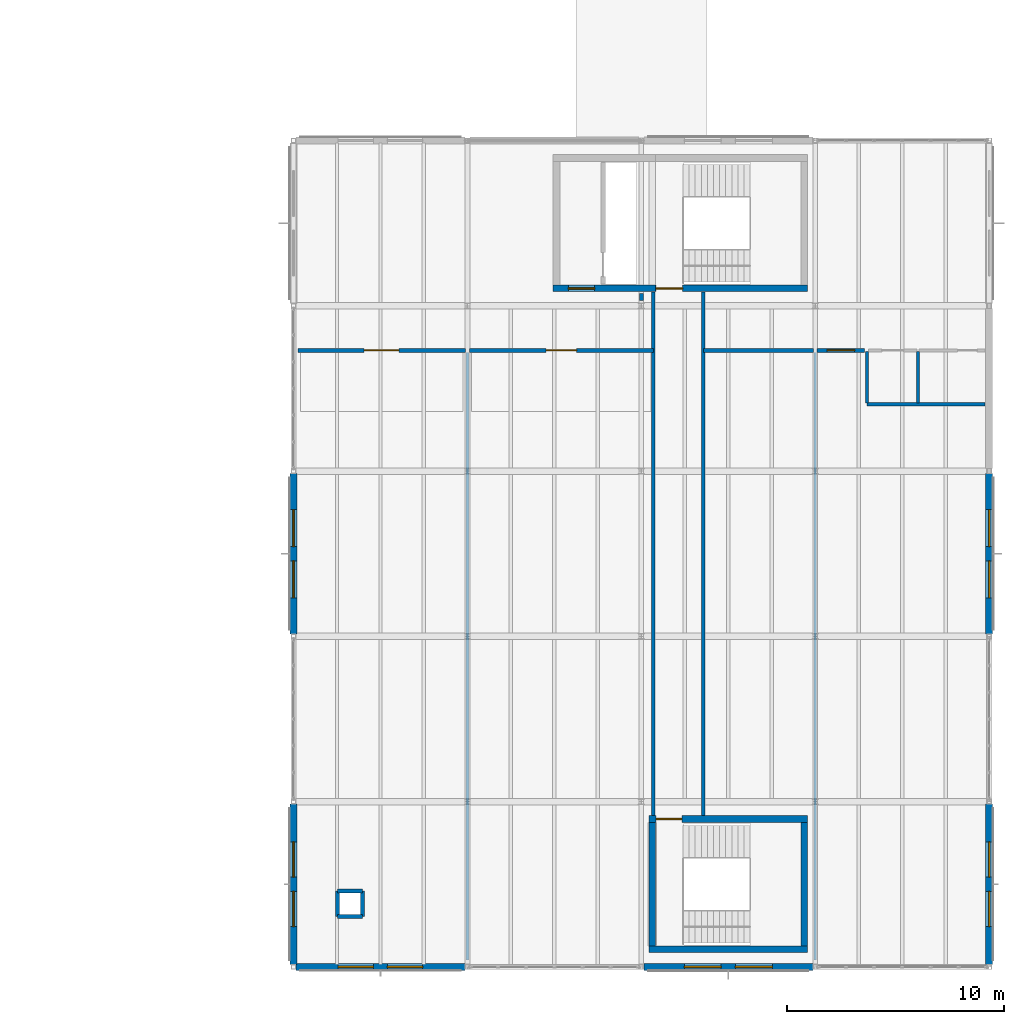
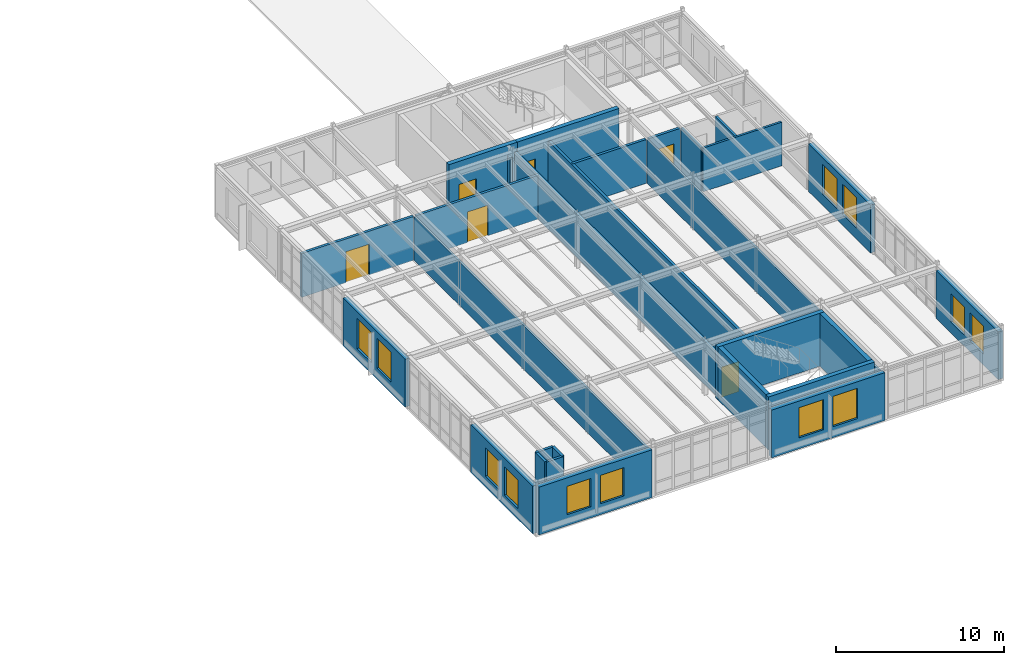
# One storey, part 94 of 114: 28 walls, 12 windows, 6 doors, 18 openings.
"""IFC4 building model written with IfcOpenShell, lengths in metres."""

from ifc_helpers import new_model, si_unit, direction, frame, frame_2d, origin, place, context, subcontext, project, spatial, rectangle, extrude, material, layer, layer_set, type_object, element, fill, save


model = new_model("IFC4")

# Units and contexts
model_context = context("Model", 3, precision=1e-05, world=origin(), true_north=direction((0.0, 1.0)))
body_context = subcontext(model_context, "Body", "Model", "MODEL_VIEW")
ifc_project = project(units=[si_unit("LENGTHUNIT", "METRE"), si_unit("AREAUNIT", "SQUARE_METRE"), si_unit("VOLUMEUNIT", "CUBIC_METRE"), si_unit("PLANEANGLEUNIT", "RADIAN"), si_unit("MASSUNIT", "GRAM", prefix="KILO")], contexts=[model_context])

# Site, building, storey
site_placement = place(None, origin())
site = spatial("IfcSite", under=ifc_project, at=site_placement, CompositionType="ELEMENT")
building_placement = place(site_placement, origin())
building = spatial("IfcBuilding", under=site, at=building_placement, Name="Montecoro Central Library", CompositionType="ELEMENT")
storey_placement = place(building_placement, frame((0.0, 0.0, 13.260009765625)))
storey = spatial("IfcBuildingStorey", under=building, at=storey_placement, Name="L03", CompositionType="ELEMENT", Elevation=13.260009765625)

# Wall, openings, windows
ifc_material_1 = material(Name="Roman travertine stone clad concrete C35/45", Category="masonry")
ifc_layer_1 = layer(ifc_material_1, 0.324951171875)
ifc_layer_set_1 = layer_set([ifc_layer_1], Name="Roman travertine stone clad concrete C35/45")
wall_type_1 = type_object("IfcWallType", Name="EW-TRV-325", PredefinedType="SOLIDWALL", material=ifc_layer_set_1)
wall_1_placement = place(storey_placement, frame((141.113037109375, 5.0, 0.0), z_axis=(0.0, 0.0, 1.0), x_axis=(1.0, 0.0, 0.0)))
wall_1 = element("IfcWall", 1, at=wall_1_placement, inside=storey, type_object=wall_type_1, Name="V6-L03-EW-S0", PredefinedType="SOLIDWALL", context=body_context, shape_type="SweptSolid", body=[
    extrude(rectangle(XDim=7.77392578125, YDim=0.324951171875, at=frame_2d((3.886962890625, 0.0))), origin(), (0.0, 0.0, 1.0), 3.47998046875),
])
opening_1_placement = place(wall_1_placement, frame((1.94189453125, 0.0, 0.800048828125)))
opening_1 = element("IfcOpeningElement", 2, at=opening_1_placement, cuts=wall_1, Name="Opening WN-27", PredefinedType="OPENING", context=body_context, shape_type="SweptSolid", body=[
    extrude(rectangle(XDim=1.6201171875, YDim=2.06005859375, at=frame_2d((0.81005859375, 1.030029296875))), frame((0.0, 0.17236328125, 0.0), z_axis=(0.0, -1.0, 0.0), x_axis=(1.0, 0.0, 0.0)), (0.0, 0.0, 1.0), 0.344970703125),
])
opening_2_placement = place(wall_1_placement, frame((4.2119140625, 0.0, 0.800048828125)))
opening_2 = element("IfcOpeningElement", 3, at=opening_2_placement, cuts=wall_1, Name="Opening WN-27", PredefinedType="OPENING", context=body_context, shape_type="SweptSolid", body=[
    extrude(rectangle(XDim=1.6201171875, YDim=2.06005859375, at=frame_2d((0.81005859375, 1.030029296875))), frame((0.0, 0.17236328125, 0.0), z_axis=(0.0, -1.0, 0.0), x_axis=(1.0, 0.0, 0.0)), (0.0, 0.0, 1.0), 0.344970703125),
])
ifc_material_2 = material(Name="Laminated low-E double glazing", Category="glass")
window_type_1 = type_object("IfcWindowType", Name="WN-COM-162", PartitioningType="SINGLE_PANEL", PredefinedType="WINDOW", material=ifc_material_2)
window_1_placement = place(opening_1_placement, origin())
window_1 = element("IfcWindow", 4, at=window_1_placement, inside=storey, type_object=window_type_1, Name="V6-L03-WN-S0-1", OverallHeight=2.06005859375, OverallWidth=1.6201171875, PartitioningType="SINGLE_PANEL", PredefinedType="WINDOW", context=body_context, shape_type="SweptSolid", body=[
    extrude(rectangle(XDim=1.6201171875, YDim=2.06005859375, at=frame_2d((0.81005859375, 1.030029296875))), frame((0.0, 0.030029296875, 0.0), z_axis=(0.0, -1.0, 0.0), x_axis=(1.0, 0.0, 0.0)), (0.0, 0.0, 1.0), 0.06005859375),
])
fill(opening_1, window_1)
window_2_placement = place(opening_2_placement, origin())
window_2 = element("IfcWindow", 5, at=window_2_placement, inside=storey, type_object=window_type_1, Name="V6-L03-WN-S0-2", OverallHeight=2.06005859375, OverallWidth=1.6201171875, PartitioningType="SINGLE_PANEL", PredefinedType="WINDOW", context=body_context, shape_type="SweptSolid", body=[
    extrude(rectangle(XDim=1.6201171875, YDim=2.06005859375, at=frame_2d((0.81005859375, 1.030029296875))), frame((0.0, 0.030029296875, 0.0), z_axis=(0.0, -1.0, 0.0), x_axis=(1.0, 0.0, 0.0)), (0.0, 0.0, 1.0), 0.06005859375),
])
fill(opening_2, window_2)

wall_2_placement = place(storey_placement, frame((157.113037109375, 5.0, 0.0), z_axis=(0.0, 0.0, 1.0), x_axis=(1.0, 0.0, 0.0)))
wall_2 = element("IfcWall", 6, at=wall_2_placement, inside=storey, type_object=wall_type_1, Name="V6-L03-EW-S2", PredefinedType="SOLIDWALL", context=body_context, shape_type="SweptSolid", body=[
    extrude(rectangle(XDim=7.77392578125, YDim=0.324951171875, at=frame_2d((3.886962890625, 0.0))), origin(), (0.0, 0.0, 1.0), 3.47998046875),
])
opening_3_placement = place(wall_2_placement, frame((1.862060546875, 0.0, 0.800048828125)))
opening_3 = element("IfcOpeningElement", 7, at=opening_3_placement, cuts=wall_2, Name="Opening WN-17", PredefinedType="OPENING", context=body_context, shape_type="SweptSolid", body=[
    extrude(rectangle(XDim=1.699951171875, YDim=2.199951171875, at=frame_2d((0.85009765625, 1.10009765625))), frame((0.0, 0.17236328125, 0.0), z_axis=(0.0, -1.0, 0.0), x_axis=(1.0, 0.0, 0.0)), (0.0, 0.0, 1.0), 0.344970703125),
])
opening_4_placement = place(wall_2_placement, frame((4.2119140625, 0.0, 0.800048828125)))
opening_4 = element("IfcOpeningElement", 8, at=opening_4_placement, cuts=wall_2, Name="Opening WN-17", PredefinedType="OPENING", context=body_context, shape_type="SweptSolid", body=[
    extrude(rectangle(XDim=1.699951171875, YDim=2.199951171875, at=frame_2d((0.85009765625, 1.10009765625))), frame((0.0, 0.17236328125, 0.0), z_axis=(0.0, -1.0, 0.0), x_axis=(1.0, 0.0, 0.0)), (0.0, 0.0, 1.0), 0.344970703125),
])
window_type_2 = type_object("IfcWindowType", Name="WN-COM-170", PartitioningType="SINGLE_PANEL", PredefinedType="WINDOW", material=ifc_material_2)
window_3_placement = place(opening_3_placement, origin())
window_3 = element("IfcWindow", 9, at=window_3_placement, inside=storey, type_object=window_type_2, Name="V6-L03-WN-S2-1", OverallHeight=2.199951171875, OverallWidth=1.699951171875, PartitioningType="SINGLE_PANEL", PredefinedType="WINDOW", context=body_context, shape_type="SweptSolid", body=[
    extrude(rectangle(XDim=1.699951171875, YDim=2.199951171875, at=frame_2d((0.85009765625, 1.10009765625))), frame((0.0, 0.030029296875, 0.0), z_axis=(0.0, -1.0, 0.0), x_axis=(1.0, 0.0, 0.0)), (0.0, 0.0, 1.0), 0.06005859375),
])
fill(opening_3, window_3)
window_4_placement = place(opening_4_placement, origin())
window_4 = element("IfcWindow", 10, at=window_4_placement, inside=storey, type_object=window_type_2, Name="V6-L03-WN-S2-2", OverallHeight=2.199951171875, OverallWidth=1.699951171875, PartitioningType="SINGLE_PANEL", PredefinedType="WINDOW", context=body_context, shape_type="SweptSolid", body=[
    extrude(rectangle(XDim=1.699951171875, YDim=2.199951171875, at=frame_2d((0.85009765625, 1.10009765625))), frame((0.0, 0.030029296875, 0.0), z_axis=(0.0, -1.0, 0.0), x_axis=(1.0, 0.0, 0.0)), (0.0, 0.0, 1.0), 0.06005859375),
])
fill(opening_4, window_4)

wall_3_placement = place(storey_placement, frame((173.0, 5.113037109375, 0.0), z_axis=(0.0, 0.0, 1.0), x_axis=(0.0, 1.0, 0.0)))
wall_3 = element("IfcWall", 11, at=wall_3_placement, inside=storey, type_object=wall_type_1, Name="V6-L03-EW-E0", PredefinedType="SOLIDWALL", context=body_context, shape_type="SweptSolid", body=[
    extrude(rectangle(XDim=7.3740234375, YDim=0.324951171875, at=frame_2d((3.68701171875, 0.0))), origin(), (0.0, 0.0, 1.0), 3.47998046875),
])
opening_5_placement = place(wall_3_placement, frame((1.741943359375, 0.0, 0.800048828125)))
opening_5 = element("IfcOpeningElement", 12, at=opening_5_placement, cuts=wall_3, Name="Opening WN-27", PredefinedType="OPENING", context=body_context, shape_type="SweptSolid", body=[
    extrude(rectangle(XDim=1.6201171875, YDim=2.06005859375, at=frame_2d((0.81005859375, 1.030029296875))), frame((0.0, 0.17236328125, 0.0), z_axis=(0.0, -1.0, 0.0), x_axis=(1.0, 0.0, 0.0)), (0.0, 0.0, 1.0), 0.344970703125),
])
opening_6_placement = place(wall_3_placement, frame((4.011962890625, 0.0, 0.800048828125)))
opening_6 = element("IfcOpeningElement", 13, at=opening_6_placement, cuts=wall_3, Name="Opening WN-27", PredefinedType="OPENING", context=body_context, shape_type="SweptSolid", body=[
    extrude(rectangle(XDim=1.6201171875, YDim=2.06005859375, at=frame_2d((0.81005859375, 1.030029296875))), frame((0.0, 0.17236328125, 0.0), z_axis=(0.0, -1.0, 0.0), x_axis=(1.0, 0.0, 0.0)), (0.0, 0.0, 1.0), 0.344970703125),
])
window_5_placement = place(opening_5_placement, origin())
window_5 = element("IfcWindow", 14, at=window_5_placement, inside=storey, type_object=window_type_1, Name="V6-L03-WN-E0-1", OverallHeight=2.06005859375, OverallWidth=1.6201171875, PartitioningType="SINGLE_PANEL", PredefinedType="WINDOW", context=body_context, shape_type="SweptSolid", body=[
    extrude(rectangle(XDim=1.6201171875, YDim=2.06005859375, at=frame_2d((0.81005859375, 1.030029296875))), frame((0.0, 0.030029296875, 0.0), z_axis=(0.0, -1.0, 0.0), x_axis=(1.0, 0.0, 0.0)), (0.0, 0.0, 1.0), 0.06005859375),
])
fill(opening_5, window_5)
window_6_placement = place(opening_6_placement, origin())
window_6 = element("IfcWindow", 15, at=window_6_placement, inside=storey, type_object=window_type_1, Name="V6-L03-WN-E0-2", OverallHeight=2.06005859375, OverallWidth=1.6201171875, PartitioningType="SINGLE_PANEL", PredefinedType="WINDOW", context=body_context, shape_type="SweptSolid", body=[
    extrude(rectangle(XDim=1.6201171875, YDim=2.06005859375, at=frame_2d((0.81005859375, 1.030029296875))), frame((0.0, 0.030029296875, 0.0), z_axis=(0.0, -1.0, 0.0), x_axis=(1.0, 0.0, 0.0)), (0.0, 0.0, 1.0), 0.06005859375),
])
fill(opening_6, window_6)

wall_4_placement = place(storey_placement, frame((173.0, 20.31298828125, 0.0), z_axis=(0.0, 0.0, 1.0), x_axis=(0.0, 1.0, 0.0)))
wall_4 = element("IfcWall", 16, at=wall_4_placement, inside=storey, type_object=wall_type_1, Name="V6-L03-EW-E2", PredefinedType="SOLIDWALL", context=body_context, shape_type="SweptSolid", body=[
    extrude(rectangle(XDim=7.3740234375, YDim=0.324951171875, at=frame_2d((3.68701171875, 0.0))), origin(), (0.0, 0.0, 1.0), 3.47998046875),
])
opening_7_placement = place(wall_4_placement, frame((1.662109375, 0.0, 0.800048828125)))
opening_7 = element("IfcOpeningElement", 17, at=opening_7_placement, cuts=wall_4, Name="Opening WN-17", PredefinedType="OPENING", context=body_context, shape_type="SweptSolid", body=[
    extrude(rectangle(XDim=1.699951171875, YDim=2.199951171875, at=frame_2d((0.85009765625, 1.10009765625))), frame((0.0, 0.17236328125, 0.0), z_axis=(0.0, -1.0, 0.0), x_axis=(1.0, 0.0, 0.0)), (0.0, 0.0, 1.0), 0.344970703125),
])
opening_8_placement = place(wall_4_placement, frame((4.011962890625, 0.0, 0.800048828125)))
opening_8 = element("IfcOpeningElement", 18, at=opening_8_placement, cuts=wall_4, Name="Opening WN-17", PredefinedType="OPENING", context=body_context, shape_type="SweptSolid", body=[
    extrude(rectangle(XDim=1.699951171875, YDim=2.199951171875, at=frame_2d((0.85009765625, 1.10009765625))), frame((0.0, 0.17236328125, 0.0), z_axis=(0.0, -1.0, 0.0), x_axis=(1.0, 0.0, 0.0)), (0.0, 0.0, 1.0), 0.344970703125),
])
window_7_placement = place(opening_7_placement, origin())
window_7 = element("IfcWindow", 19, at=window_7_placement, inside=storey, type_object=window_type_2, Name="V6-L03-WN-E2-1", OverallHeight=2.199951171875, OverallWidth=1.699951171875, PartitioningType="SINGLE_PANEL", PredefinedType="WINDOW", context=body_context, shape_type="SweptSolid", body=[
    extrude(rectangle(XDim=1.699951171875, YDim=2.199951171875, at=frame_2d((0.85009765625, 1.10009765625))), frame((0.0, 0.030029296875, 0.0), z_axis=(0.0, -1.0, 0.0), x_axis=(1.0, 0.0, 0.0)), (0.0, 0.0, 1.0), 0.06005859375),
])
fill(opening_7, window_7)
window_8_placement = place(opening_8_placement, origin())
window_8 = element("IfcWindow", 20, at=window_8_placement, inside=storey, type_object=window_type_2, Name="V6-L03-WN-E2-2", OverallHeight=2.199951171875, OverallWidth=1.699951171875, PartitioningType="SINGLE_PANEL", PredefinedType="WINDOW", context=body_context, shape_type="SweptSolid", body=[
    extrude(rectangle(XDim=1.699951171875, YDim=2.199951171875, at=frame_2d((0.85009765625, 1.10009765625))), frame((0.0, 0.030029296875, 0.0), z_axis=(0.0, -1.0, 0.0), x_axis=(1.0, 0.0, 0.0)), (0.0, 0.0, 1.0), 0.06005859375),
])
fill(opening_8, window_8)

wall_5_placement = place(storey_placement, frame((141.0, 27.68701171875, 0.0), z_axis=(0.0, 0.0, 1.0), x_axis=(0.0, -1.0, 0.0)))
wall_5 = element("IfcWall", 21, at=wall_5_placement, inside=storey, type_object=wall_type_1, Name="V6-L03-EW-W2", PredefinedType="SOLIDWALL", context=body_context, shape_type="SweptSolid", body=[
    extrude(rectangle(XDim=7.3740234375, YDim=0.324951171875, at=frame_2d((3.68701171875, 0.0))), origin(), (0.0, 0.0, 1.0), 3.47998046875),
])
opening_9_placement = place(wall_5_placement, frame((1.662109375, 0.0, 0.800048828125)))
opening_9 = element("IfcOpeningElement", 22, at=opening_9_placement, cuts=wall_5, Name="Opening WN-17", PredefinedType="OPENING", context=body_context, shape_type="SweptSolid", body=[
    extrude(rectangle(XDim=1.699951171875, YDim=2.199951171875, at=frame_2d((0.85009765625, 1.10009765625))), frame((0.0, 0.17236328125, 0.0), z_axis=(0.0, -1.0, 0.0), x_axis=(1.0, 0.0, 0.0)), (0.0, 0.0, 1.0), 0.344970703125),
])
opening_10_placement = place(wall_5_placement, frame((4.011962890625, 0.0, 0.800048828125)))
opening_10 = element("IfcOpeningElement", 23, at=opening_10_placement, cuts=wall_5, Name="Opening WN-17", PredefinedType="OPENING", context=body_context, shape_type="SweptSolid", body=[
    extrude(rectangle(XDim=1.699951171875, YDim=2.199951171875, at=frame_2d((0.85009765625, 1.10009765625))), frame((0.0, 0.17236328125, 0.0), z_axis=(0.0, -1.0, 0.0), x_axis=(1.0, 0.0, 0.0)), (0.0, 0.0, 1.0), 0.344970703125),
])
window_9_placement = place(opening_9_placement, origin())
window_9 = element("IfcWindow", 24, at=window_9_placement, inside=storey, type_object=window_type_2, Name="V6-L03-WN-W2-1", OverallHeight=2.199951171875, OverallWidth=1.699951171875, PartitioningType="SINGLE_PANEL", PredefinedType="WINDOW", context=body_context, shape_type="SweptSolid", body=[
    extrude(rectangle(XDim=1.699951171875, YDim=2.199951171875, at=frame_2d((0.85009765625, 1.10009765625))), frame((0.0, 0.030029296875, 0.0), z_axis=(0.0, -1.0, 0.0), x_axis=(1.0, 0.0, 0.0)), (0.0, 0.0, 1.0), 0.06005859375),
])
fill(opening_9, window_9)
window_10_placement = place(opening_10_placement, origin())
window_10 = element("IfcWindow", 25, at=window_10_placement, inside=storey, type_object=window_type_2, Name="V6-L03-WN-W2-2", OverallHeight=2.199951171875, OverallWidth=1.699951171875, PartitioningType="SINGLE_PANEL", PredefinedType="WINDOW", context=body_context, shape_type="SweptSolid", body=[
    extrude(rectangle(XDim=1.699951171875, YDim=2.199951171875, at=frame_2d((0.85009765625, 1.10009765625))), frame((0.0, 0.030029296875, 0.0), z_axis=(0.0, -1.0, 0.0), x_axis=(1.0, 0.0, 0.0)), (0.0, 0.0, 1.0), 0.06005859375),
])
fill(opening_10, window_10)

wall_6_placement = place(storey_placement, frame((141.0, 12.487060546875, 0.0), z_axis=(0.0, 0.0, 1.0), x_axis=(0.0, -1.0, 0.0)))
wall_6 = element("IfcWall", 26, at=wall_6_placement, inside=storey, type_object=wall_type_1, Name="V6-L03-EW-W0", PredefinedType="SOLIDWALL", context=body_context, shape_type="SweptSolid", body=[
    extrude(rectangle(XDim=7.3740234375, YDim=0.324951171875, at=frame_2d((3.68701171875, 0.0))), origin(), (0.0, 0.0, 1.0), 3.47998046875),
])
opening_11_placement = place(wall_6_placement, frame((1.741943359375, 0.0, 0.800048828125)))
opening_11 = element("IfcOpeningElement", 27, at=opening_11_placement, cuts=wall_6, Name="Opening WN-27", PredefinedType="OPENING", context=body_context, shape_type="SweptSolid", body=[
    extrude(rectangle(XDim=1.6201171875, YDim=2.06005859375, at=frame_2d((0.81005859375, 1.030029296875))), frame((0.0, 0.17236328125, 0.0), z_axis=(0.0, -1.0, 0.0), x_axis=(1.0, 0.0, 0.0)), (0.0, 0.0, 1.0), 0.344970703125),
])
opening_12_placement = place(wall_6_placement, frame((4.011962890625, 0.0, 0.800048828125)))
opening_12 = element("IfcOpeningElement", 28, at=opening_12_placement, cuts=wall_6, Name="Opening WN-27", PredefinedType="OPENING", context=body_context, shape_type="SweptSolid", body=[
    extrude(rectangle(XDim=1.6201171875, YDim=2.06005859375, at=frame_2d((0.81005859375, 1.030029296875))), frame((0.0, 0.17236328125, 0.0), z_axis=(0.0, -1.0, 0.0), x_axis=(1.0, 0.0, 0.0)), (0.0, 0.0, 1.0), 0.344970703125),
])
window_11_placement = place(opening_11_placement, origin())
window_11 = element("IfcWindow", 29, at=window_11_placement, inside=storey, type_object=window_type_1, Name="V6-L03-WN-W0-1", OverallHeight=2.06005859375, OverallWidth=1.6201171875, PartitioningType="SINGLE_PANEL", PredefinedType="WINDOW", context=body_context, shape_type="SweptSolid", body=[
    extrude(rectangle(XDim=1.6201171875, YDim=2.06005859375, at=frame_2d((0.81005859375, 1.030029296875))), frame((0.0, 0.030029296875, 0.0), z_axis=(0.0, -1.0, 0.0), x_axis=(1.0, 0.0, 0.0)), (0.0, 0.0, 1.0), 0.06005859375),
])
fill(opening_11, window_11)
window_12_placement = place(opening_12_placement, origin())
window_12 = element("IfcWindow", 30, at=window_12_placement, inside=storey, type_object=window_type_1, Name="V6-L03-WN-W0-2", OverallHeight=2.06005859375, OverallWidth=1.6201171875, PartitioningType="SINGLE_PANEL", PredefinedType="WINDOW", context=body_context, shape_type="SweptSolid", body=[
    extrude(rectangle(XDim=1.6201171875, YDim=2.06005859375, at=frame_2d((0.81005859375, 1.030029296875))), frame((0.0, 0.030029296875, 0.0), z_axis=(0.0, -1.0, 0.0), x_axis=(1.0, 0.0, 0.0)), (0.0, 0.0, 1.0), 0.06005859375),
])
fill(opening_12, window_12)

# Walls
ifc_material_3 = material(Name="Gypsum fire-rated partition")
ifc_layer_2 = layer(ifc_material_3, 0.179931640625)
ifc_layer_set_2 = layer_set([ifc_layer_2], Name="Gypsum fire-rated partition")
wall_type_2 = type_object("IfcWallType", Name="IW-COR-180", PredefinedType="PARTITIONING", material=ifc_layer_set_2)
for number, where, z_axis, x_axis, name in (
    (31, (143.02001953125, 7.320068359375, 0.0), (0.0, 0.0, 1.0), (1.0, 0.0, 0.0), "RSR-V6-L03-SL1-S"),
    (32, (144.179931640625, 8.47998046875, 0.0), (0.0, 0.0, 1.0), (-1.0, 0.0, 0.0), "RSR-V6-L03-SL1-N"),
    (33, (143.02001953125, 8.47998046875, 0.0), (0.0, 0.0, 1.0), (0.0, -1.0, 0.0), "RSR-V6-L03-SL1-W"),
    (34, (144.179931640625, 7.320068359375, 0.0), (0.0, 0.0, 1.0), (0.0, 1.0, 0.0), "RSR-V6-L03-SL1-E"),
):
    element("IfcWall", number, at=place(storey_placement, frame(where, z_axis=z_axis, x_axis=x_axis)), inside=storey, type_object=wall_type_2, Name=name, PredefinedType="PARTITIONING", context=body_context, shape_type="SweptSolid", body=[
        extrude(rectangle(XDim=1.159912109375, YDim=0.179931640625, at=frame_2d((0.580078125, 0.0))), origin(), (0.0, 0.0, 1.0), 3.179931640625),
    ])

# Wall, opening, door
wall_7_placement = place(storey_placement, frame((141.199951171875, 33.35009765625, 0.0), z_axis=(0.0, 0.0, 1.0), x_axis=(1.0, 0.0, 0.0)))
wall_7 = element("IfcWall", 35, at=wall_7_placement, inside=storey, type_object=wall_type_2, Name="CORW-V6-L03-01", PredefinedType="PARTITIONING", context=body_context, shape_type="SweptSolid", body=[
    extrude(rectangle(XDim=7.7099609375, YDim=0.179931640625, at=frame_2d((3.85498046875, 0.0))), origin(), (0.0, 0.0, 1.0), 3.179931640625),
])
opening_13_placement = place(wall_7_placement, frame((3.054931640625, 0.0, 0.0)))
opening_13 = element("IfcOpeningElement", 36, at=opening_13_placement, cuts=wall_7, Name="Opening ID-06", PredefinedType="OPENING", context=body_context, shape_type="SweptSolid", body=[
    extrude(rectangle(XDim=1.60009765625, YDim=2.25, at=frame_2d((0.800048828125, 1.125))), frame((0.0, 0.099853515625, 0.0), z_axis=(0.0, -1.0, 0.0), x_axis=(1.0, 0.0, 0.0)), (0.0, 0.0, 1.0), 0.199951171875),
])
ifc_material_4 = material(Name="Solid oak and fire-rated steel door", Category="steel")
door_type_1 = type_object("IfcDoorType", Name="ID-COR-160", OperationType="NOTDEFINED", PredefinedType="DOOR", material=ifc_material_4)
door_1_placement = place(opening_13_placement, origin())
door_1 = element("IfcDoor", 37, at=door_1_placement, inside=storey, type_object=door_type_1, Name="DR-SP-V6-L03-R1P1", OperationType="DOUBLE_DOOR_SINGLE_SWING", OverallHeight=2.25, OverallWidth=1.60009765625, PredefinedType="DOOR", context=body_context, shape_type="SweptSolid", body=[
    extrude(rectangle(XDim=1.60009765625, YDim=2.25, at=frame_2d((0.800048828125, 1.125))), frame((0.0, 0.02490234375, 0.0), z_axis=(0.0, -1.0, 0.0), x_axis=(1.0, 0.0, 0.0)), (0.0, 0.0, 1.0), 0.050048828125),
])
fill(opening_13, door_1)

wall_8_placement = place(storey_placement, frame((149.090087890625, 33.35009765625, 0.0), z_axis=(0.0, 0.0, 1.0), x_axis=(1.0, 0.0, 0.0)))
wall_8 = element("IfcWall", 38, at=wall_8_placement, inside=storey, type_object=wall_type_2, Name="CORW-V6-L03-02", PredefinedType="PARTITIONING", context=body_context, shape_type="SweptSolid", body=[
    extrude(rectangle(XDim=8.4599609375, YDim=0.179931640625, at=frame_2d((4.22998046875, 0.0))), origin(), (0.0, 0.0, 1.0), 3.179931640625),
])
opening_14_placement = place(wall_8_placement, frame((3.530029296875, 0.0, 0.0)))
opening_14 = element("IfcOpeningElement", 39, at=opening_14_placement, cuts=wall_8, Name="Opening ID-08", PredefinedType="OPENING", context=body_context, shape_type="SweptSolid", body=[
    extrude(rectangle(XDim=1.39990234375, YDim=2.219970703125, at=frame_2d((0.699951171875, 1.10986328125))), frame((0.0, 0.099853515625, 0.0), z_axis=(0.0, -1.0, 0.0), x_axis=(1.0, 0.0, 0.0)), (0.0, 0.0, 1.0), 0.199951171875),
])
door_type_2 = type_object("IfcDoorType", Name="ID-RDG-140", OperationType="NOTDEFINED", PredefinedType="DOOR", material=ifc_material_4)
door_2_placement = place(opening_14_placement, origin())
door_2 = element("IfcDoor", 40, at=door_2_placement, inside=storey, type_object=door_type_2, Name="DR-SP-V6-L03-R2P1", OperationType="SINGLE_SWING_RIGHT", OverallHeight=2.219970703125, OverallWidth=1.39990234375, PredefinedType="DOOR", context=body_context, shape_type="SweptSolid", body=[
    extrude(rectangle(XDim=1.39990234375, YDim=2.219970703125, at=frame_2d((0.699951171875, 1.10986328125))), frame((0.0, 0.02490234375, 0.0), z_axis=(0.0, -1.0, 0.0), x_axis=(1.0, 0.0, 0.0)), (0.0, 0.0, 1.0), 0.050048828125),
])
fill(opening_14, door_2)

# Wall
wall_9_placement = place(storey_placement, frame((159.85009765625, 33.35009765625, 0.0), z_axis=(0.0, 0.0, 1.0), x_axis=(1.0, 0.0, 0.0)))
element("IfcWall", 41, at=wall_9_placement, inside=storey, type_object=wall_type_2, Name="CORW-V6-L03-03", PredefinedType="PARTITIONING", context=body_context, shape_type="SweptSolid", body=[
    extrude(rectangle(XDim=5.059814453125, YDim=0.179931640625, at=frame_2d((2.52978515625, 0.0))), origin(), (0.0, 0.0, 1.0), 3.179931640625),
])

# Wall, opening, door
wall_10_placement = place(storey_placement, frame((165.090087890625, 33.35009765625, 0.0), z_axis=(0.0, 0.0, 1.0), x_axis=(1.0, 0.0, 0.0)))
wall_10 = element("IfcWall", 42, at=wall_10_placement, inside=storey, type_object=wall_type_2, Name="CORW-V6-L03-04", PredefinedType="PARTITIONING", context=body_context, shape_type="SweptSolid", body=[
    extrude(rectangle(XDim=2.169921875, YDim=0.179931640625, at=frame_2d((1.0849609375, 0.0))), origin(), (0.0, 0.0, 1.0), 3.179931640625),
])
opening_15_placement = place(wall_10_placement, frame((0.455078125, 0.0, 0.0)))
opening_15 = element("IfcOpeningElement", 43, at=opening_15_placement, cuts=wall_10, Name="Opening ID-09", PredefinedType="OPENING", context=body_context, shape_type="SweptSolid", body=[
    extrude(rectangle(XDim=1.260009765625, YDim=2.199951171875, at=frame_2d((0.6298828125, 1.10009765625))), frame((0.0, 0.099853515625, 0.0), z_axis=(0.0, -1.0, 0.0), x_axis=(1.0, 0.0, 0.0)), (0.0, 0.0, 1.0), 0.199951171875),
])
door_type_3 = type_object("IfcDoorType", Name="ID-RDG-126", OperationType="NOTDEFINED", PredefinedType="DOOR", material=ifc_material_4)
door_3_placement = place(opening_15_placement, origin())
door_3 = element("IfcDoor", 44, at=door_3_placement, inside=storey, type_object=door_type_3, Name="DR-SP-V6-L03-R3P1", OperationType="SINGLE_SWING_LEFT", OverallHeight=2.199951171875, OverallWidth=1.260009765625, PredefinedType="DOOR", context=body_context, shape_type="SweptSolid", body=[
    extrude(rectangle(XDim=1.260009765625, YDim=2.199951171875, at=frame_2d((0.6298828125, 1.10009765625))), frame((0.0, 0.02490234375, 0.0), z_axis=(0.0, -1.0, 0.0), x_axis=(1.0, 0.0, 0.0)), (0.0, 0.0, 1.0), 0.050048828125),
])
fill(opening_15, door_3)

# Walls
wall_11_placement = place(storey_placement, frame((157.0, 35.639892578125, 0.0), z_axis=(0.0, 0.0, 1.0), x_axis=(0.0, 1.0, 0.0)))
element("IfcWall", 45, at=wall_11_placement, inside=storey, type_object=wall_type_2, Name="PIL-V6-L03-1", PredefinedType="PARTITIONING", context=body_context, shape_type="SweptSolid", body=[
    extrude(rectangle(XDim=0.320068359375, YDim=0.179931640625, at=frame_2d((0.16015625, 0.0))), origin(), (0.0, 0.0, 1.0), 3.179931640625),
])
for number, where, z_axis, x_axis, name in (
    (46, (157.550048828125, 11.9599609375, 0.0), (0.0, 0.0, 1.0), (0.0, 1.0, 0.0), "SPRW-V6-L03-1W1"),
    (47, (159.85009765625, 11.9599609375, 0.0), (0.0, 0.0, 1.0), (0.0, 1.0, 0.0), "SPRW-V6-L03-1E1"),
):
    element("IfcWall", number, at=place(storey_placement, frame(where, z_axis=z_axis, x_axis=x_axis)), inside=storey, type_object=wall_type_2, Name=name, PredefinedType="PARTITIONING", context=body_context, shape_type="SweptSolid", body=[
        extrude(rectangle(XDim=24.080078125, YDim=0.179931640625, at=frame_2d((12.0400390625, 0.0))), origin(), (0.0, 0.0, 1.0), 3.179931640625),
    ])
ifc_material_5 = material(Name="Gypsum metal-stud partition")
ifc_layer_3 = layer(ifc_material_5, 0.1201171875)
ifc_layer_set_3 = layer_set([ifc_layer_3], Name="Gypsum metal-stud partition")
wall_type_3 = type_object("IfcWallType", Name="IW-PRT-120", PredefinedType="PARTITIONING", material=ifc_layer_set_3)
wall_12_placement = place(storey_placement, frame((165.0, 5.320068359375, 0.0), z_axis=(0.0, 0.0, 1.0), x_axis=(0.0, 1.0, 0.0)))
element("IfcWall", 48, at=wall_12_placement, inside=storey, type_object=wall_type_3, Name="DIVW-V6-L03-02-1", PredefinedType="PARTITIONING", context=body_context, shape_type="SweptSolid", body=[
    extrude(rectangle(XDim=27.93994140625, YDim=0.1201171875, at=frame_2d((13.969970703125, 0.0))), origin(), (0.0, 0.0, 1.0), 3.179931640625),
])
ifc_layer_4 = layer(ifc_material_5, 0.139892578125)
ifc_layer_set_4 = layer_set([ifc_layer_4], Name="Gypsum metal-stud partition")
wall_type_4 = type_object("IfcWallType", Name="IW-PRT-140", PredefinedType="PARTITIONING", material=ifc_layer_set_4)
wall_13_placement = place(storey_placement, frame((149.0, 5.320068359375, 0.0), z_axis=(0.0, 0.0, 1.0), x_axis=(0.0, 1.0, 0.0)))
element("IfcWall", 49, at=wall_13_placement, inside=storey, type_object=wall_type_4, Name="DIVW-V6-L03-01-1", PredefinedType="PARTITIONING", context=body_context, shape_type="SweptSolid", body=[
    extrude(rectangle(XDim=27.93994140625, YDim=0.139892578125, at=frame_2d((13.969970703125, 0.0))), origin(), (0.0, 0.0, 1.0), 3.179931640625),
])

# Wall, opening, door
ifc_material_6 = material(Name="Concrete C35/45", Category="concrete")
ifc_layer_5 = layer(ifc_material_6, 0.300048828125)
ifc_layer_set_5 = layer_set([ifc_layer_5], Name="Concrete C35/45")
wall_type_5 = type_object("IfcWallType", Name="IW-SHR-300", PredefinedType="SHEAR", material=ifc_layer_set_5)
wall_14_placement = place(storey_placement, frame((152.949951171875, 36.199951171875, 0.0), z_axis=(0.0, 0.0, 1.0), x_axis=(1.0, 0.0, 0.0)))
wall_14 = element("IfcWall", 50, at=wall_14_placement, inside=storey, type_object=wall_type_5, Name="C7-L03-LWS", PredefinedType="SHEAR", context=body_context, shape_type="SweptSolid", body=[
    extrude(rectangle(XDim=4.699951171875, YDim=0.300048828125, at=frame_2d((2.35009765625, 0.0))), origin(), (0.0, 0.0, 1.0), 3.844970703125),
])
opening_16_placement = place(wall_14_placement, frame((0.699951171875, 0.0, 0.0)))
opening_16 = element("IfcOpeningElement", 51, at=opening_16_placement, cuts=wall_14, Name="Opening ID-03", PredefinedType="OPENING", context=body_context, shape_type="SweptSolid", body=[
    extrude(rectangle(XDim=1.199951171875, YDim=2.159912109375, at=frame_2d((0.60009765625, 1.080078125))), frame((0.0, 0.159912109375, 0.0), z_axis=(0.0, -1.0, 0.0), x_axis=(1.0, 0.0, 0.0)), (0.0, 0.0, 1.0), 0.320068359375),
])
door_type_4 = type_object("IfcDoorType", Name="ID-FFL-120", OperationType="NOTDEFINED", PredefinedType="DOOR", material=ifc_material_4)
door_4_placement = place(opening_16_placement, origin())
door_4 = element("IfcDoor", 52, at=door_4_placement, inside=storey, type_object=door_type_4, Name="C7-L03-DLOB", OperationType="SINGLE_SWING_LEFT", OverallHeight=2.159912109375, OverallWidth=1.199951171875, PredefinedType="DOOR", context=body_context, shape_type="SweptSolid", body=[
    extrude(rectangle(XDim=1.199951171875, YDim=2.159912109375, at=frame_2d((0.60009765625, 1.080078125))), frame((0.0, 0.02490234375, 0.0), z_axis=(0.0, -1.0, 0.0), x_axis=(1.0, 0.0, 0.0)), (0.0, 0.0, 1.0), 0.050048828125),
])
fill(opening_16, door_4)

wall_15_placement = place(storey_placement, frame((157.35009765625, 36.199951171875, 0.0), z_axis=(0.0, 0.0, 1.0), x_axis=(1.0, 0.0, 0.0)))
wall_15 = element("IfcWall", 53, at=wall_15_placement, inside=storey, type_object=wall_type_5, Name="C7-L03-WS", PredefinedType="SHEAR", context=body_context, shape_type="SweptSolid", body=[
    extrude(rectangle(XDim=7.2998046875, YDim=0.300048828125, at=frame_2d((3.64990234375, 0.0))), origin(), (0.0, 0.0, 1.0), 3.844970703125),
])
opening_17_placement = place(wall_15_placement, frame((0.330078125, 0.0, 0.0)))
opening_17 = element("IfcOpeningElement", 54, at=opening_17_placement, cuts=wall_15, Name="Opening ID-01", PredefinedType="OPENING", context=body_context, shape_type="SweptSolid", body=[
    extrude(rectangle(XDim=1.219970703125, YDim=2.179931640625, at=frame_2d((0.60986328125, 1.08984375))), frame((0.0, 0.159912109375, 0.0), z_axis=(0.0, -1.0, 0.0), x_axis=(1.0, 0.0, 0.0)), (0.0, 0.0, 1.0), 0.320068359375),
])
door_type_5 = type_object("IfcDoorType", Name="ID-STR-140", OperationType="NOTDEFINED", PredefinedType="DOOR", material=ifc_material_4)
door_5_placement = place(opening_17_placement, origin())
door_5 = element("IfcDoor", 55, at=door_5_placement, inside=storey, type_object=door_type_5, Name="C7-L03-DSTR", OperationType="SINGLE_SWING_RIGHT", OverallHeight=2.179931640625, OverallWidth=1.219970703125, PredefinedType="DOOR", context=body_context, shape_type="SweptSolid", body=[
    extrude(rectangle(XDim=1.219970703125, YDim=2.179931640625, at=frame_2d((0.60986328125, 1.08984375))), frame((0.0, 0.02490234375, 0.0), z_axis=(0.0, -1.0, 0.0), x_axis=(1.0, 0.0, 0.0)), (0.0, 0.0, 1.0), 0.050048828125),
])
fill(opening_17, door_5)

# Wall
wall_16_placement = place(storey_placement, frame((157.35009765625, 5.800048828125, 0.0), z_axis=(0.0, 0.0, 1.0), x_axis=(1.0, 0.0, 0.0)))
element("IfcWall", 56, at=wall_16_placement, inside=storey, type_object=wall_type_5, Name="C10-L03-WS", PredefinedType="SHEAR", context=body_context, shape_type="SweptSolid", body=[
    extrude(rectangle(XDim=7.2998046875, YDim=0.300048828125, at=frame_2d((3.64990234375, 0.0))), origin(), (0.0, 0.0, 1.0), 3.844970703125),
])

# Wall, opening, door
wall_17_placement = place(storey_placement, frame((157.35009765625, 11.800048828125, 0.0), z_axis=(0.0, 0.0, 1.0), x_axis=(1.0, 0.0, 0.0)))
wall_17 = element("IfcWall", 57, at=wall_17_placement, inside=storey, type_object=wall_type_5, Name="C10-L03-WN", PredefinedType="SHEAR", context=body_context, shape_type="SweptSolid", body=[
    extrude(rectangle(XDim=7.2998046875, YDim=0.300048828125, at=frame_2d((3.64990234375, 0.0))), origin(), (0.0, 0.0, 1.0), 3.844970703125),
])
opening_18_placement = place(wall_17_placement, frame((0.330078125, 0.0, 0.0)))
opening_18 = element("IfcOpeningElement", 58, at=opening_18_placement, cuts=wall_17, Name="Opening ID-02", PredefinedType="OPENING", context=body_context, shape_type="SweptSolid", body=[
    extrude(rectangle(XDim=1.179931640625, YDim=2.179931640625, at=frame_2d((0.58984375, 1.08984375))), frame((0.0, 0.159912109375, 0.0), z_axis=(0.0, -1.0, 0.0), x_axis=(1.0, 0.0, 0.0)), (0.0, 0.0, 1.0), 0.320068359375),
])
door_type_6 = type_object("IfcDoorType", Name="ID-STR-135", OperationType="NOTDEFINED", PredefinedType="DOOR", material=ifc_material_4)
door_6_placement = place(opening_18_placement, origin())
door_6 = element("IfcDoor", 59, at=door_6_placement, inside=storey, type_object=door_type_6, Name="C10-L03-DSTR", OperationType="SINGLE_SWING_RIGHT", OverallHeight=2.179931640625, OverallWidth=1.179931640625, PredefinedType="DOOR", context=body_context, shape_type="SweptSolid", body=[
    extrude(rectangle(XDim=1.179931640625, YDim=2.179931640625, at=frame_2d((0.58984375, 1.08984375))), frame((0.0, 0.02490234375, 0.0), z_axis=(0.0, -1.0, 0.0), x_axis=(1.0, 0.0, 0.0)), (0.0, 0.0, 1.0), 0.050048828125),
])
fill(opening_18, door_6)

# Walls
for number, where, z_axis, x_axis, name in (
    (60, (157.5, 5.949951171875, 0.0), (0.0, 0.0, 1.0), (0.0, 1.0, 0.0), "C10-L03-WW"),
    (61, (164.5, 5.949951171875, 0.0), (0.0, 0.0, 1.0), (0.0, 1.0, 0.0), "C10-L03-WE"),
):
    element("IfcWall", number, at=place(storey_placement, frame(where, z_axis=z_axis, x_axis=x_axis)), inside=storey, type_object=wall_type_5, Name=name, PredefinedType="SHEAR", context=body_context, shape_type="SweptSolid", body=[
        extrude(rectangle(XDim=5.699951171875, YDim=0.300048828125, at=frame_2d((2.85009765625, 0.0))), origin(), (0.0, 0.0, 1.0), 3.844970703125),
    ])
ifc_material_7 = material(Name="Moisture-resistant ceramic-tiled partition")
ifc_layer_6 = layer(ifc_material_7, 0.14990234375)
ifc_layer_set_6 = layer_set([ifc_layer_6], Name="Moisture-resistant ceramic-tiled partition")
wall_type_6 = type_object("IfcWallType", Name="IW-WET-150", PredefinedType="PARTITIONING", material=ifc_layer_set_6)
wall_18_placement = place(storey_placement, frame((167.3798828125, 30.8701171875, 0.0), z_axis=(0.0, 0.0, 1.0), x_axis=(1.0, 0.0, 0.0)))
element("IfcWall", 62, at=wall_18_placement, inside=storey, type_object=wall_type_6, Name="WC-V6-L03-WBK", PredefinedType="PARTITIONING", context=body_context, shape_type="SweptSolid", body=[
    extrude(rectangle(XDim=5.420166015625, YDim=0.14990234375, at=frame_2d((2.7099609375, 0.0))), origin(), (0.0, 0.0, 1.0), 3.179931640625),
])
for number, where, z_axis, x_axis, name in (
    (63, (167.3798828125, 30.929931640625, 0.0), (0.0, 0.0, 1.0), (0.0, 1.0, 0.0), "WC-V6-L03-WW"),
    (64, (169.72998046875, 30.929931640625, 0.0), (0.0, 0.0, 1.0), (0.0, 1.0, 0.0), "WC-V6-L03-WM"),
):
    element("IfcWall", number, at=place(storey_placement, frame(where, z_axis=z_axis, x_axis=x_axis)), inside=storey, type_object=wall_type_6, Name=name, PredefinedType="PARTITIONING", context=body_context, shape_type="SweptSolid", body=[
        extrude(rectangle(XDim=2.360107421875, YDim=0.14990234375, at=frame_2d((1.18017578125, 0.0))), origin(), (0.0, 0.0, 1.0), 3.179931640625),
    ])

save(model, "model.ifc")
